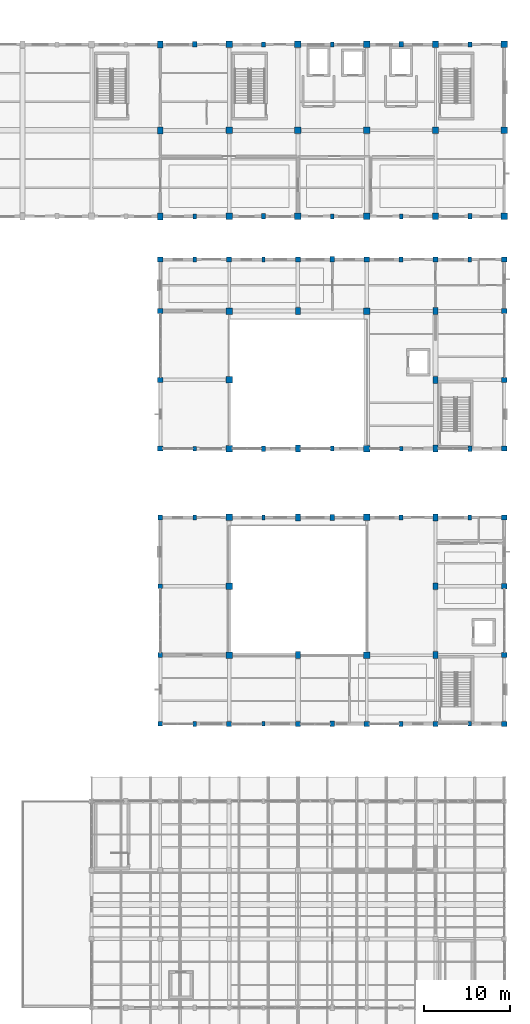
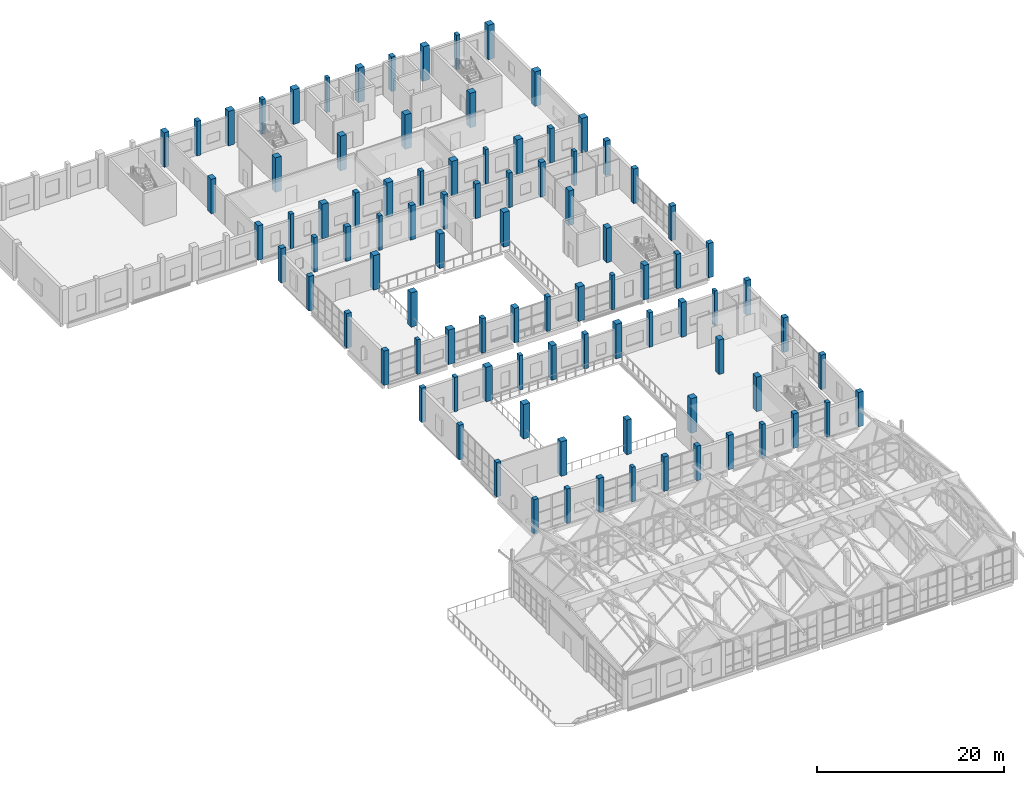
# One storey, part 11 of 183: 92 columns.
"""IFC4 building model written with IfcOpenShell, lengths in metres."""

from ifc_helpers import new_model, si_unit, direction, frame, origin, origin_2d, place, context, subcontext, project, spatial, rectangle, extrude, material, material_profile, profile_set, type_object, element, save


model = new_model("IFC4")

# Units and contexts
model_context = context("Model", 3, precision=1e-05, world=origin(), true_north=direction((0.0, 1.0)))
body_context = subcontext(model_context, "Body", "Model", "MODEL_VIEW")
ifc_project = project(units=[si_unit("LENGTHUNIT", "METRE"), si_unit("AREAUNIT", "SQUARE_METRE"), si_unit("VOLUMEUNIT", "CUBIC_METRE"), si_unit("PLANEANGLEUNIT", "RADIAN"), si_unit("MASSUNIT", "GRAM", prefix="KILO")], contexts=[model_context])

# Site, building, storey
site_placement = place(None, origin())
site = spatial("IfcSite", under=ifc_project, at=site_placement, CompositionType="ELEMENT")
building_placement = place(site_placement, origin())
building = spatial("IfcBuilding", under=site, at=building_placement, Name="Luwemba Playhouse", CompositionType="ELEMENT")
storey_placement = place(building_placement, frame((0.0, 0.0, 4.800048828125)))
storey = spatial("IfcBuildingStorey", under=building, at=storey_placement, Name="L01", CompositionType="ELEMENT", Elevation=4.800048828125)

# Columns
ifc_material = material(Name="Concrete C40/50", Category="concrete")
ifc_material_profile_1 = material_profile(ifc_material, rectangle(XDim=0.550048828125, YDim=0.550048828125, at=origin_2d()))
ifc_profile_set_1 = profile_set([ifc_material_profile_1], Name="Concrete C40/50")
column_type_1 = type_object("IfcColumnType", Name="COL-C03", PredefinedType="COLUMN", material=ifc_profile_set_1)
for number, where, z_axis, x_axis, name in (
    (1, (132.0, 36.0, 0.0), (0.0, 0.0, 1.0), (1.0, 0.0, 0.0), "L01 column 176"),
    (2, (132.0, 44.0, 0.0), (0.0, 0.0, 1.0), (1.0, 0.0, 0.0), "L01 column 177"),
    (3, (132.0, 52.0, 0.0), (0.0, 0.0, 1.0), (1.0, 0.0, 0.0), "L01 column 178"),
    (4, (132.0, 60.0, 0.0), (0.0, 0.0, 1.0), (1.0, 0.0, 0.0), "L01 column 179"),
):
    element("IfcColumn", number, at=place(storey_placement, frame(where, z_axis=z_axis, x_axis=x_axis)), inside=storey, type_object=column_type_1, Name=name, PredefinedType="COLUMN", context=body_context, shape_type="SweptSolid", body=[
        extrude(rectangle(XDim=0.550048828125, YDim=0.550048828125, at=origin_2d()), origin(), (0.0, 0.0, 1.0), 4.5),
    ])
ifc_material_profile_2 = material_profile(ifc_material, rectangle(XDim=0.60009765625, YDim=0.60009765625, at=origin_2d()))
ifc_profile_set_2 = profile_set([ifc_material_profile_2], Name="Concrete C40/50")
column_type_2 = type_object("IfcColumnType", Name="COL-C04", PredefinedType="COLUMN", material=ifc_profile_set_2)
for number, where, z_axis, x_axis, name in (
    (5, (132.0, 68.0, 0.0), (0.0, 0.0, 1.0), (1.0, 0.0, 0.0), "L01 column 180"),
    (6, (132.0, 76.0, 0.0), (0.0, 0.0, 1.0), (1.0, 0.0, 0.0), "L01 column 181"),
    (7, (132.0, 84.0, 0.0), (0.0, 0.0, 1.0), (1.0, 0.0, 0.0), "L01 column 182"),
    (8, (132.0, 90.0, 0.0), (0.0, 0.0, 1.0), (1.0, 0.0, 0.0), "L01 column 183"),
    (9, (140.0, 36.0, 0.0), (0.0, 0.0, 1.0), (1.0, 0.0, 0.0), "L01 column 199"),
    (10, (140.0, 90.0, 0.0), (0.0, 0.0, 1.0), (1.0, 0.0, 0.0), "L01 column 206"),
    (11, (148.0, 36.0, 0.0), (0.0, 0.0, 1.0), (1.0, 0.0, 0.0), "L01 column 222"),
    (12, (148.0, 90.0, 0.0), (0.0, 0.0, 1.0), (1.0, 0.0, 0.0), "L01 column 229"),
    (13, (156.0, 36.0, 0.0), (0.0, 0.0, 1.0), (1.0, 0.0, 0.0), "L01 column 245"),
    (14, (156.0, 90.0, 0.0), (0.0, 0.0, 1.0), (1.0, 0.0, 0.0), "L01 column 252"),
    (15, (164.0, 36.0, 0.0), (0.0, 0.0, 1.0), (1.0, 0.0, 0.0), "L01 column 268"),
    (16, (164.0, 90.0, 0.0), (0.0, 0.0, 1.0), (1.0, 0.0, 0.0), "L01 column 275"),
    (17, (172.0, 36.0, 0.0), (0.0, 0.0, 1.0), (1.0, 0.0, 0.0), "L01 column 291"),
    (18, (172.0, 44.0, 0.0), (0.0, 0.0, 1.0), (1.0, 0.0, 0.0), "L01 column 292"),
    (19, (172.0, 52.0, 0.0), (0.0, 0.0, 1.0), (1.0, 0.0, 0.0), "L01 column 293"),
    (20, (172.0, 60.0, 0.0), (0.0, 0.0, 1.0), (1.0, 0.0, 0.0), "L01 column 294"),
    (21, (172.0, 68.0, 0.0), (0.0, 0.0, 1.0), (1.0, 0.0, 0.0), "L01 column 295"),
    (22, (172.0, 76.0, 0.0), (0.0, 0.0, 1.0), (1.0, 0.0, 0.0), "L01 column 296"),
    (23, (172.0, 84.0, 0.0), (0.0, 0.0, 1.0), (1.0, 0.0, 0.0), "L01 column 297"),
    (24, (172.0, 90.0, 0.0), (0.0, 0.0, 1.0), (1.0, 0.0, 0.0), "L01 column 298"),
):
    element("IfcColumn", number, at=place(storey_placement, frame(where, z_axis=z_axis, x_axis=x_axis)), inside=storey, type_object=column_type_2, Name=name, PredefinedType="COLUMN", context=body_context, shape_type="SweptSolid", body=[
        extrude(rectangle(XDim=0.60009765625, YDim=0.60009765625, at=origin_2d()), origin(), (0.0, 0.0, 1.0), 4.5),
    ])
ifc_material_profile_3 = material_profile(ifc_material, rectangle(XDim=0.75, YDim=0.75, at=origin_2d()))
ifc_profile_set_3 = profile_set([ifc_material_profile_3], Name="Concrete C40/50")
column_type_3 = type_object("IfcColumnType", Name="COL-C07", PredefinedType="COLUMN", material=ifc_profile_set_3)
for number, where, z_axis, x_axis, name in (
    (25, (140.0, 44.0, 0.0), (0.0, 0.0, 1.0), (1.0, 0.0, 0.0), "L01 column 200"),
    (26, (140.0, 52.0, 0.0), (0.0, 0.0, 1.0), (1.0, 0.0, 0.0), "L01 column 201"),
    (27, (140.0, 60.0, 0.0), (0.0, 0.0, 1.0), (1.0, 0.0, 0.0), "L01 column 202"),
    (28, (140.0, 68.0, 0.0), (0.0, 0.0, 1.0), (1.0, 0.0, 0.0), "L01 column 203"),
    (29, (140.0, 76.0, 0.0), (0.0, 0.0, 1.0), (1.0, 0.0, 0.0), "L01 column 204"),
    (30, (140.0, 84.0, 0.0), (0.0, 0.0, 1.0), (1.0, 0.0, 0.0), "L01 column 205"),
    (31, (140.0, 95.0, 0.0), (0.0, 0.0, 1.0), (1.0, 0.0, 0.0), "L01 column 207"),
    (32, (140.0, 105.0, 0.0), (0.0, 0.0, 1.0), (1.0, 0.0, 0.0), "L01 column 208"),
    (33, (140.0, 115.0, 0.0), (0.0, 0.0, 1.0), (1.0, 0.0, 0.0), "L01 column 209"),
    (34, (148.0, 95.0, 0.0), (0.0, 0.0, 1.0), (1.0, 0.0, 0.0), "L01 column 230"),
    (35, (148.0, 105.0, 0.0), (0.0, 0.0, 1.0), (1.0, 0.0, 0.0), "L01 column 231"),
    (36, (148.0, 115.0, 0.0), (0.0, 0.0, 1.0), (1.0, 0.0, 0.0), "L01 column 232"),
    (37, (156.0, 44.0, 0.0), (0.0, 0.0, 1.0), (1.0, 0.0, 0.0), "L01 column 246"),
    (38, (156.0, 60.0, 0.0), (0.0, 0.0, 1.0), (1.0, 0.0, 0.0), "L01 column 248"),
    (39, (156.0, 68.0, 0.0), (0.0, 0.0, 1.0), (1.0, 0.0, 0.0), "L01 column 249"),
    (40, (156.0, 84.0, 0.0), (0.0, 0.0, 1.0), (1.0, 0.0, 0.0), "L01 column 251"),
    (41, (156.0, 95.0, 0.0), (0.0, 0.0, 1.0), (1.0, 0.0, 0.0), "L01 column 253"),
    (42, (156.0, 105.0, 0.0), (0.0, 0.0, 1.0), (1.0, 0.0, 0.0), "L01 column 254"),
    (43, (156.0, 115.0, 0.0), (0.0, 0.0, 1.0), (1.0, 0.0, 0.0), "L01 column 255"),
    (44, (164.0, 95.0, 0.0), (0.0, 0.0, 1.0), (1.0, 0.0, 0.0), "L01 column 276"),
    (45, (164.0, 105.0, 0.0), (0.0, 0.0, 1.0), (1.0, 0.0, 0.0), "L01 column 277"),
    (46, (164.0, 115.0, 0.0), (0.0, 0.0, 1.0), (1.0, 0.0, 0.0), "L01 column 278"),
    (47, (172.0, 95.0, 0.0), (0.0, 0.0, 1.0), (1.0, 0.0, 0.0), "L01 column 299"),
    (48, (172.0, 105.0, 0.0), (0.0, 0.0, 1.0), (1.0, 0.0, 0.0), "L01 column 300"),
    (49, (172.0, 115.0, 0.0), (0.0, 0.0, 1.0), (1.0, 0.0, 0.0), "L01 column 301"),
):
    element("IfcColumn", number, at=place(storey_placement, frame(where, z_axis=z_axis, x_axis=x_axis)), inside=storey, type_object=column_type_3, Name=name, PredefinedType="COLUMN", context=body_context, shape_type="SweptSolid", body=[
        extrude(rectangle(XDim=0.75, YDim=0.75, at=origin_2d()), origin(), (0.0, 0.0, 1.0), 4.5),
    ])
ifc_material_profile_4 = material_profile(ifc_material, rectangle(XDim=0.60009765625, YDim=0.800048828125, at=origin_2d()))
ifc_profile_set_4 = profile_set([ifc_material_profile_4], Name="Concrete C40/50")
column_type_4 = type_object("IfcColumnType", Name="COL-C12", PredefinedType="COLUMN", material=ifc_profile_set_4)
for number, where, z_axis, x_axis, name in (
    (50, (132.0, 95.0, 0.0), (0.0, 0.0, 1.0), (1.0, 0.0, 0.0), "L01 column 184"),
    (51, (132.0, 105.0, 0.0), (0.0, 0.0, 1.0), (1.0, 0.0, 0.0), "L01 column 185"),
    (52, (132.0, 115.0, 0.0), (0.0, 0.0, 1.0), (1.0, 0.0, 0.0), "L01 column 186"),
    (53, (148.0, 44.0, 0.0), (0.0, 0.0, 1.0), (1.0, 0.0, 0.0), "L01 column 223"),
    (54, (148.0, 60.0, 0.0), (0.0, 0.0, 1.0), (1.0, 0.0, 0.0), "L01 column 225"),
    (55, (148.0, 68.0, 0.0), (0.0, 0.0, 1.0), (1.0, 0.0, 0.0), "L01 column 226"),
    (56, (148.0, 84.0, 0.0), (0.0, 0.0, 1.0), (1.0, 0.0, 0.0), "L01 column 228"),
    (57, (164.0, 44.0, 0.0), (0.0, 0.0, 1.0), (1.0, 0.0, 0.0), "L01 column 269"),
    (58, (164.0, 52.0, 0.0), (0.0, 0.0, 1.0), (1.0, 0.0, 0.0), "L01 column 270"),
    (59, (164.0, 60.0, 0.0), (0.0, 0.0, 1.0), (1.0, 0.0, 0.0), "L01 column 271"),
    (60, (164.0, 68.0, 0.0), (0.0, 0.0, 1.0), (1.0, 0.0, 0.0), "L01 column 272"),
    (61, (164.0, 76.0, 0.0), (0.0, 0.0, 1.0), (1.0, 0.0, 0.0), "L01 column 273"),
    (62, (164.0, 84.0, 0.0), (0.0, 0.0, 1.0), (1.0, 0.0, 0.0), "L01 column 274"),
):
    element("IfcColumn", number, at=place(storey_placement, frame(where, z_axis=z_axis, x_axis=x_axis)), inside=storey, type_object=column_type_4, Name=name, PredefinedType="COLUMN", context=body_context, shape_type="SweptSolid", body=[
        extrude(rectangle(XDim=0.60009765625, YDim=0.800048828125, at=origin_2d()), origin(), (0.0, 0.0, 1.0), 4.5),
    ])
ifc_material_profile_5 = material_profile(ifc_material, rectangle(XDim=0.39990234375, YDim=0.550048828125, at=origin_2d()))
ifc_profile_set_5 = profile_set([ifc_material_profile_5], Name="Concrete C40/50")
column_type_5 = type_object("IfcColumnType", Name="COL-PIL1", PredefinedType="PILASTER", material=ifc_profile_set_5)
for number, where, z_axis, x_axis, name in (
    (63, (136.0, 68.0, 0.0), (0.0, 0.0, 1.0), (1.0, 0.0, 0.0), "L01 column 191"),
    (64, (136.0, 95.0, 0.0), (0.0, 0.0, 1.0), (1.0, 0.0, 0.0), "L01 column 193"),
    (65, (144.0, 36.0, 0.0), (0.0, 0.0, 1.0), (1.0, 0.0, 0.0), "L01 column 212"),
    (66, (144.0, 60.0, 0.0), (0.0, 0.0, 1.0), (1.0, 0.0, 0.0), "L01 column 213"),
    (67, (144.0, 90.0, 0.0), (0.0, 0.0, 1.0), (1.0, 0.0, 0.0), "L01 column 215"),
    (68, (152.0, 115.0, 0.0), (0.0, 0.0, 1.0), (1.0, 0.0, 0.0), "L01 column 240"),
    (69, (160.0, 68.0, 0.0), (0.0, 0.0, 1.0), (1.0, 0.0, 0.0), "L01 column 260"),
    (70, (160.0, 95.0, 0.0), (0.0, 0.0, 1.0), (1.0, 0.0, 0.0), "L01 column 262"),
    (71, (168.0, 36.0, 0.0), (0.0, 0.0, 1.0), (1.0, 0.0, 0.0), "L01 column 281"),
    (72, (168.0, 60.0, 0.0), (0.0, 0.0, 1.0), (1.0, 0.0, 0.0), "L01 column 282"),
    (73, (168.0, 90.0, 0.0), (0.0, 0.0, 1.0), (1.0, 0.0, 0.0), "L01 column 284"),
):
    element("IfcColumn", number, at=place(storey_placement, frame(where, z_axis=z_axis, x_axis=x_axis)), inside=storey, type_object=column_type_5, Name=name, PredefinedType="PILASTER", context=body_context, shape_type="SweptSolid", body=[
        extrude(rectangle(XDim=0.39990234375, YDim=0.550048828125, at=origin_2d()), origin(), (0.0, 0.0, 1.0), 4.5),
    ])
ifc_material_profile_6 = material_profile(ifc_material, rectangle(XDim=0.449951171875, YDim=0.60009765625, at=origin_2d()))
ifc_profile_set_6 = profile_set([ifc_material_profile_6], Name="Concrete C40/50")
column_type_6 = type_object("IfcColumnType", Name="COL-PIL2", PredefinedType="PILASTER", material=ifc_profile_set_6)
for number, where, z_axis, x_axis, name in (
    (74, (136.0, 36.0, 0.0), (0.0, 0.0, 1.0), (1.0, 0.0, 0.0), "L01 column 189"),
    (75, (136.0, 60.0, 0.0), (0.0, 0.0, 1.0), (1.0, 0.0, 0.0), "L01 column 190"),
    (76, (136.0, 90.0, 0.0), (0.0, 0.0, 1.0), (1.0, 0.0, 0.0), "L01 column 192"),
    (77, (144.0, 115.0, 0.0), (0.0, 0.0, 1.0), (1.0, 0.0, 0.0), "L01 column 217"),
    (78, (152.0, 68.0, 0.0), (0.0, 0.0, 1.0), (1.0, 0.0, 0.0), "L01 column 237"),
    (79, (152.0, 95.0, 0.0), (0.0, 0.0, 1.0), (1.0, 0.0, 0.0), "L01 column 239"),
    (80, (160.0, 36.0, 0.0), (0.0, 0.0, 1.0), (1.0, 0.0, 0.0), "L01 column 258"),
    (81, (160.0, 60.0, 0.0), (0.0, 0.0, 1.0), (1.0, 0.0, 0.0), "L01 column 259"),
    (82, (160.0, 90.0, 0.0), (0.0, 0.0, 1.0), (1.0, 0.0, 0.0), "L01 column 261"),
    (83, (168.0, 115.0, 0.0), (0.0, 0.0, 1.0), (1.0, 0.0, 0.0), "L01 column 286"),
):
    element("IfcColumn", number, at=place(storey_placement, frame(where, z_axis=z_axis, x_axis=x_axis)), inside=storey, type_object=column_type_6, Name=name, PredefinedType="PILASTER", context=body_context, shape_type="SweptSolid", body=[
        extrude(rectangle(XDim=0.449951171875, YDim=0.60009765625, at=origin_2d()), origin(), (0.0, 0.0, 1.0), 4.5),
    ])
ifc_material_profile_7 = material_profile(ifc_material, rectangle(XDim=0.5, YDim=0.64990234375, at=origin_2d()))
ifc_profile_set_7 = profile_set([ifc_material_profile_7], Name="Concrete C40/50")
column_type_7 = type_object("IfcColumnType", Name="COL-PIL3", PredefinedType="PILASTER", material=ifc_profile_set_7)
for number, where, z_axis, x_axis, name in (
    (84, (136.0, 115.0, 0.0), (0.0, 0.0, 1.0), (1.0, 0.0, 0.0), "L01 column 194"),
    (85, (144.0, 68.0, 0.0), (0.0, 0.0, 1.0), (1.0, 0.0, 0.0), "L01 column 214"),
    (86, (144.0, 95.0, 0.0), (0.0, 0.0, 1.0), (1.0, 0.0, 0.0), "L01 column 216"),
    (87, (152.0, 36.0, 0.0), (0.0, 0.0, 1.0), (1.0, 0.0, 0.0), "L01 column 235"),
    (88, (152.0, 60.0, 0.0), (0.0, 0.0, 1.0), (1.0, 0.0, 0.0), "L01 column 236"),
    (89, (152.0, 90.0, 0.0), (0.0, 0.0, 1.0), (1.0, 0.0, 0.0), "L01 column 238"),
    (90, (160.0, 115.0, 0.0), (0.0, 0.0, 1.0), (1.0, 0.0, 0.0), "L01 column 263"),
    (91, (168.0, 68.0, 0.0), (0.0, 0.0, 1.0), (1.0, 0.0, 0.0), "L01 column 283"),
    (92, (168.0, 95.0, 0.0), (0.0, 0.0, 1.0), (1.0, 0.0, 0.0), "L01 column 285"),
):
    element("IfcColumn", number, at=place(storey_placement, frame(where, z_axis=z_axis, x_axis=x_axis)), inside=storey, type_object=column_type_7, Name=name, PredefinedType="PILASTER", context=body_context, shape_type="SweptSolid", body=[
        extrude(rectangle(XDim=0.5, YDim=0.64990234375, at=origin_2d()), origin(), (0.0, 0.0, 1.0), 4.5),
    ])

save(model, "model.ifc")
